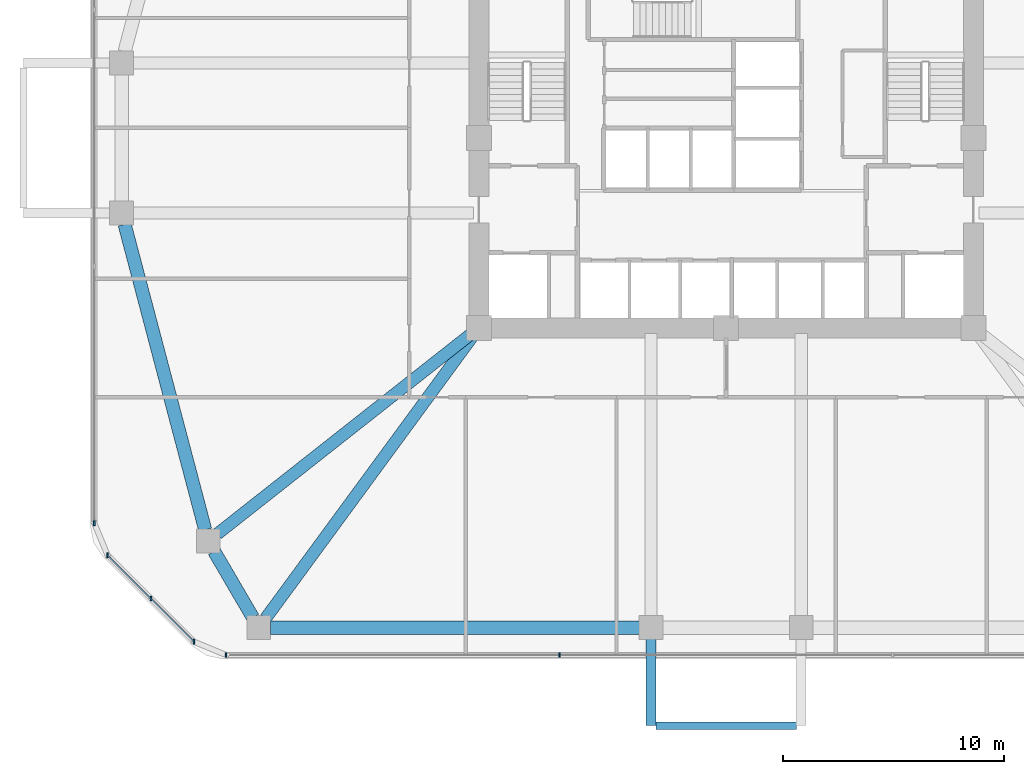
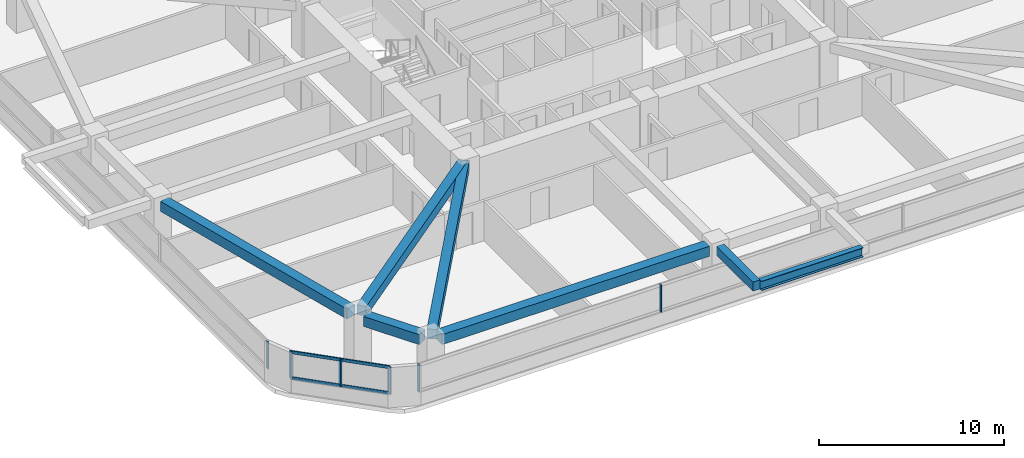
# One storey, part 2 of 14: 8 members, 7 beams, 3 elements without a shape of their own.
"""IFC4 building model written with IfcOpenShell, lengths in metres."""

from ifc_helpers import new_model, si_unit, derived_unit, direction, frame, origin, origin_2d, place, context, subcontext, project, spatial, rectangle, i_section, extrude, material, material_profile, profile_set, type_object, element, aggregate, save


model = new_model("IFC4")

# Units and contexts
model_context = context("Model", 3, precision=1e-05, world=origin(), true_north=direction((0.0, 1.0)))
body_context = subcontext(model_context, "Body", "Model", "MODEL_VIEW")
ifc_project = project(units=[si_unit("LENGTHUNIT", "METRE"), si_unit("AREAUNIT", "SQUARE_METRE"), si_unit("VOLUMEUNIT", "CUBIC_METRE"), si_unit("PLANEANGLEUNIT", "RADIAN"), si_unit("MASSUNIT", "GRAM", prefix="KILO"), derived_unit("THERMALTRANSMITTANCEUNIT", [(si_unit("POWERUNIT", "WATT"), 1), (si_unit("LENGTHUNIT", "METRE"), -2), (si_unit("THERMODYNAMICTEMPERATUREUNIT", "KELVIN"), -1)])], contexts=[model_context])

# Site, building, storey
site_placement = place(None, origin())
site = spatial("IfcSite", under=ifc_project, at=site_placement, CompositionType="ELEMENT")
building_placement = place(site_placement, origin())
building = spatial("IfcBuilding", under=site, at=building_placement, Name="Koralith Skygarden Medical Center", CompositionType="ELEMENT")
storey_placement = place(building_placement, frame((0.0, 0.0, 45.5400390625)))
storey = spatial("IfcBuildingStorey", under=building, at=storey_placement, Name="L11", CompositionType="ELEMENT", Elevation=45.5400390625)

# Curtain wall, members
ifc_material_1 = material(Name="Clear Laminated Glass", Category="glass")
curtain_wall_type = type_object("IfcCurtainWallType", Name="CW-2 Zone 1 Hurricane Unitised Curtain Wall", PredefinedType="NOTDEFINED", material=ifc_material_1)
curtain_wall_1_placement = place(storey_placement, origin())
curtain_wall_1 = element("IfcCurtainWall", 1, at=curtain_wall_1_placement, inside=storey, type_object=curtain_wall_type, Name="Curtain Wall CW-L11-S", PredefinedType="NOTDEFINED")
ifc_material_2 = material(Name="Aluminium 6063-T6", Category="aluminium")
ifc_material_profile_1 = material_profile(ifc_material_2, rectangle(XDim=0.071044921875, YDim=0.219970703125, at=origin_2d()), Name="MUL71X220")
ifc_profile_set_1 = profile_set([ifc_material_profile_1], Name="Aluminium 6063-T6")
member_type_1 = type_object("IfcMemberType", Name="CW-2 Extruded Mullion 71x220", PredefinedType="MULLION", material=ifc_profile_set_1)
member_1_placement = place(storey_placement, frame((14.35498046875, 2.47998046875, 0.849853515625), z_axis=(0.0, 0.0, 1.0), x_axis=(1.0, 0.0, 0.0)))
member_1 = element("IfcMember", 2, at=member_1_placement, type_object=member_type_1, Name="CW-L11-S Mullion 1", PredefinedType="MULLION", context=body_context, shape_type="SweptSolid", body=[
    extrude(rectangle(XDim=0.071044921875, YDim=0.219970703125, at=origin_2d()), origin(), (0.0, 0.0, 1.0), 1.800048828125),
])
member_2_placement = place(storey_placement, frame((29.451904296875, 2.47998046875, 0.849853515625), z_axis=(0.0, 0.0, 1.0), x_axis=(1.0, 0.0, 0.0)))
member_2 = element("IfcMember", 3, at=member_2_placement, type_object=member_type_1, Name="CW-L11-S Mullion 2", PredefinedType="MULLION", context=body_context, shape_type="SweptSolid", body=[
    extrude(rectangle(XDim=0.071044921875, YDim=0.219970703125, at=origin_2d()), origin(), (0.0, 0.0, 1.0), 1.800048828125),
])
aggregate(curtain_wall_1, [member_1, member_2])

# Curtain wall, member
curtain_wall_2_placement = place(storey_placement, origin())
curtain_wall_2 = element("IfcCurtainWall", 4, at=curtain_wall_2_placement, inside=storey, type_object=curtain_wall_type, Name="Curtain Wall CW-L11-W", PredefinedType="NOTDEFINED")
member_3_placement = place(storey_placement, frame((8.3798828125, 8.455078125, 0.849853515625), z_axis=(0.0, 0.0, 1.0), x_axis=(1.0, 0.0, 0.0)))
member_3 = element("IfcMember", 5, at=member_3_placement, type_object=member_type_1, Name="CW-L11-W Mullion 4", PredefinedType="MULLION", context=body_context, shape_type="SweptSolid", body=[
    extrude(rectangle(XDim=0.071044921875, YDim=0.219970703125, at=origin_2d()), origin(), (0.0, 0.0, 1.0), 1.800048828125),
])
aggregate(curtain_wall_2, [member_3])

# Curtain wall, members
curtain_wall_3_placement = place(storey_placement, origin())
curtain_wall_3 = element("IfcCurtainWall", 6, at=curtain_wall_3_placement, inside=storey, type_object=curtain_wall_type, Name="Curtain Wall CW-L11-SW", PredefinedType="NOTDEFINED")
member_4_placement = place(storey_placement, frame((8.98095703125, 7.00390625, 0.849853515625), z_axis=(0.0, 0.0, 1.0), x_axis=(1.0, 0.0, 0.0)))
member_4 = element("IfcMember", 7, at=member_4_placement, type_object=member_type_1, Name="CW-L11-SW Mullion 1", PredefinedType="MULLION", context=body_context, shape_type="SweptSolid", body=[
    extrude(rectangle(XDim=0.071044921875, YDim=0.219970703125, at=origin_2d()), origin(), (0.0, 0.0, 1.0), 1.800048828125),
])
member_5_placement = place(storey_placement, frame((10.94189453125, 5.04296875, 0.849853515625), z_axis=(0.0, 0.0, 1.0), x_axis=(1.0, 0.0, 0.0)))
member_5 = element("IfcMember", 8, at=member_5_placement, type_object=member_type_1, Name="CW-L11-SW Mullion 2", PredefinedType="MULLION", context=body_context, shape_type="SweptSolid", body=[
    extrude(rectangle(XDim=0.071044921875, YDim=0.219970703125, at=origin_2d()), origin(), (0.0, 0.0, 1.0), 1.800048828125),
])
member_6_placement = place(storey_placement, frame((12.904052734375, 3.0810546875, 0.849853515625), z_axis=(0.0, 0.0, 1.0), x_axis=(1.0, 0.0, 0.0)))
member_6 = element("IfcMember", 9, at=member_6_placement, type_object=member_type_1, Name="CW-L11-SW Mullion 3", PredefinedType="MULLION", context=body_context, shape_type="SweptSolid", body=[
    extrude(rectangle(XDim=0.071044921875, YDim=0.219970703125, at=origin_2d()), origin(), (0.0, 0.0, 1.0), 1.800048828125),
])
ifc_material_profile_2 = material_profile(ifc_material_2, rectangle(XDim=0.06591796875, YDim=0.197998046875, at=origin_2d()), Name="TRN66X198")
ifc_profile_set_2 = profile_set([ifc_material_profile_2], Name="Aluminium 6063-T6")
member_type_2 = type_object("IfcMemberType", Name="CW-2 Thermal Transom 66x198", PredefinedType="USERDEFINED", material=ifc_profile_set_2)
member_7_placement = place(storey_placement, frame((8.98095703125, 7.00390625, 0.89990234375), z_axis=(0.707128783731, -0.707084777957, 0.0), x_axis=(0.707084777957, 0.707128783731, 0.0)))
member_7 = element("IfcMember", 10, at=member_7_placement, type_object=member_type_2, Name="CW-L11-SW Transom 1", ObjectType="TRANSOM", PredefinedType="USERDEFINED", context=body_context, shape_type="SweptSolid", body=[
    extrude(rectangle(XDim=0.06591796875, YDim=0.197998046875, at=origin_2d()), origin(), (0.0, 0.0, 1.0), 5.5478515625),
])
member_8_placement = place(storey_placement, frame((8.98095703125, 7.00390625, 2.599853515625), z_axis=(0.707128783731, -0.707084777957, 0.0), x_axis=(0.707084777957, 0.707128783731, 0.0)))
member_8 = element("IfcMember", 11, at=member_8_placement, type_object=member_type_2, Name="CW-L11-SW Transom 2", ObjectType="TRANSOM", PredefinedType="USERDEFINED", context=body_context, shape_type="SweptSolid", body=[
    extrude(rectangle(XDim=0.06591796875, YDim=0.197998046875, at=origin_2d()), origin(), (0.0, 0.0, 1.0), 5.5478515625),
])
aggregate(curtain_wall_3, [member_4, member_5, member_6, member_7, member_8])

# Beams
ifc_material_3 = material(Name="Steel ASTM A992 Grade 50", Category="steel")
ifc_material_profile_3 = material_profile(ifc_material_3, i_section(OverallWidth=0.326904296875, OverallDepth=0.6220703125, WebThickness=0.015380859375, FlangeThickness=0.0244140625, at=origin_2d()), Name="W24X131")
ifc_profile_set_3 = profile_set([ifc_material_profile_3], Name="Steel ASTM A992 Grade 50")
beam_type_1 = type_object("IfcBeamType", Name="Cantilever Tie Beam W24X131", PredefinedType="BEAM", material=ifc_profile_set_3)
beam_1_placement = place(storey_placement, frame((33.820068359375, -0.719970703125, 3.029052734375), z_axis=(1.0, 0.0, 0.0), x_axis=(0.0, 1.0, 0.0)))
element("IfcBeam", 12, at=beam_1_placement, inside=storey, type_object=beam_type_1, Name="L12 S Balcony Tip Tie Beam", PredefinedType="BEAM", context=body_context, shape_type="SweptSolid", body=[
    extrude(i_section(OverallWidth=0.326904296875, OverallDepth=0.6220703125, WebThickness=0.015380859375, FlangeThickness=0.0244140625, at=origin_2d()), origin(), (0.0, 0.0, 1.0), 6.35986328125),
])
ifc_material_4 = material(Name="Concrete C45/55", Category="concrete")
ifc_material_profile_4 = material_profile(ifc_material_4, rectangle(XDim=0.449951171875, YDim=0.60009765625, at=origin_2d()), Name="RCB450X600")
ifc_profile_set_4 = profile_set([ifc_material_profile_4], Name="Concrete C45/55")
beam_type_2 = type_object("IfcBeamType", Name="Planted Balcony Cantilever Beam RCB450X600", PredefinedType="BEAM", material=ifc_profile_set_4)
beam_2_placement = place(storey_placement, frame((33.60009765625, 3.199951171875, 3.0400390625), z_axis=(0.0, -1.0, 0.0), x_axis=(1.0, 0.0, 0.0)))
element("IfcBeam", 13, at=beam_2_placement, inside=storey, type_object=beam_type_2, Name="L12 S Balcony Cantilever Beam A", PredefinedType="BEAM", context=body_context, shape_type="SweptSolid", body=[
    extrude(rectangle(XDim=0.449951171875, YDim=0.60009765625, at=origin_2d()), origin(), (0.0, 0.0, 1.0), 3.919921875),
])
ifc_material_profile_5 = material_profile(ifc_material_4, rectangle(XDim=0.550048828125, YDim=0.639892578125, at=origin_2d()), Name="RCB550X640")
ifc_profile_set_5 = profile_set([ifc_material_profile_5], Name="Concrete C45/55")
beam_type_3 = type_object("IfcBeamType", Name="Radial Collector Beam RCB550X640", PredefinedType="BEAM", material=ifc_profile_set_5)
beam_3_placement = place(storey_placement, frame((25.60400390625, 17.14501953125, 3.0), z_axis=(-0.785497250365, -0.618865146594, 0.0), x_axis=(0.618865146594, -0.785497250365, 0.0)))
element("IfcBeam", 14, at=beam_3_placement, inside=storey, type_object=beam_type_3, Name="L11 Radial Collector Beam RB-02", PredefinedType="BEAM", context=body_context, shape_type="SweptSolid", body=[
    extrude(rectangle(XDim=0.550048828125, YDim=0.639892578125, at=origin_2d()), origin(), (0.0, 0.0, 1.0), 14.828857421875),
])
beam_4_placement = place(storey_placement, frame((25.652099609375, 17.097900390625, 3.0), z_axis=(-0.591718052249, -0.806144991079, 0.0), x_axis=(0.806144991079, -0.591718052249, 0.0)))
element("IfcBeam", 15, at=beam_4_placement, inside=storey, type_object=beam_type_3, Name="L11 Radial Collector Beam RB-03", PredefinedType="BEAM", context=body_context, shape_type="SweptSolid", body=[
    extrude(rectangle(XDim=0.550048828125, YDim=0.639892578125, at=origin_2d()), origin(), (0.0, 0.0, 1.0), 16.065185546875),
])
ifc_material_profile_6 = material_profile(ifc_material_4, rectangle(XDim=0.60009765625, YDim=0.659912109375, at=origin_2d()), Name="RCB600X660")
ifc_profile_set_6 = profile_set([ifc_material_profile_6], Name="Concrete C45/55")
beam_type_4 = type_object("IfcBeamType", Name="Zone 1 Spandrel Beam RCB600X660", PredefinedType="SPANDREL", material=ifc_profile_set_6)
beam_5_placement = place(storey_placement, frame((9.7548828125, 21.988037109375, 2.989990234375), z_axis=(0.255088684842, -0.966917660851, 0.0), x_axis=(0.966917660851, 0.255088684842, 0.0)))
element("IfcBeam", 16, at=beam_5_placement, inside=storey, type_object=beam_type_4, Name="L11 Perimeter Spandrel Beam SP-01", PredefinedType="SPANDREL", context=body_context, shape_type="SweptSolid", body=[
    extrude(rectangle(XDim=0.60009765625, YDim=0.659912109375, at=origin_2d()), origin(), (0.0, 0.0, 1.0), 14.309326171875),
])
beam_6_placement = place(storey_placement, frame((13.80810546875, 7.181884765625, 2.989990234375), z_axis=(0.504638660636, -0.863330656349, 0.0), x_axis=(0.863330656349, 0.504638660636, 0.0)))
element("IfcBeam", 17, at=beam_6_placement, inside=storey, type_object=beam_type_4, Name="L11 Perimeter Spandrel Beam SP-02", PredefinedType="SPANDREL", context=body_context, shape_type="SweptSolid", body=[
    extrude(rectangle(XDim=0.60009765625, YDim=0.659912109375, at=origin_2d()), origin(), (0.0, 0.0, 1.0), 3.4794921875),
])
beam_7_placement = place(storey_placement, frame((16.362060546875, 3.719970703125, 2.989990234375), z_axis=(1.0, 0.0, 0.0), x_axis=(0.0, 1.0, 0.0)))
element("IfcBeam", 18, at=beam_7_placement, inside=storey, type_object=beam_type_4, Name="L11 Perimeter Spandrel Beam SP-03", PredefinedType="SPANDREL", context=body_context, shape_type="SweptSolid", body=[
    extrude(rectangle(XDim=0.60009765625, YDim=0.659912109375, at=origin_2d()), origin(), (0.0, 0.0, 1.0), 16.7080078125),
])

save(model, "model.ifc")
